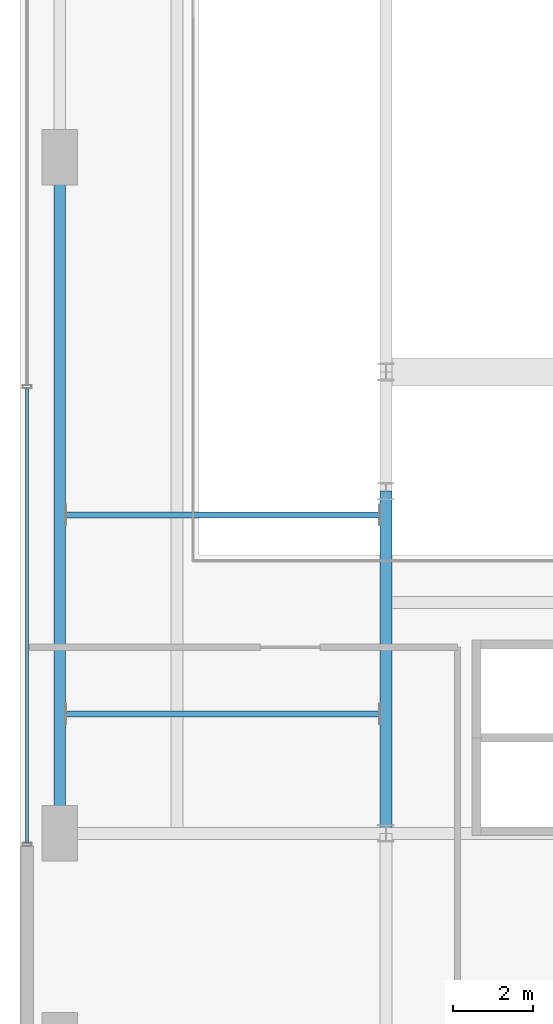
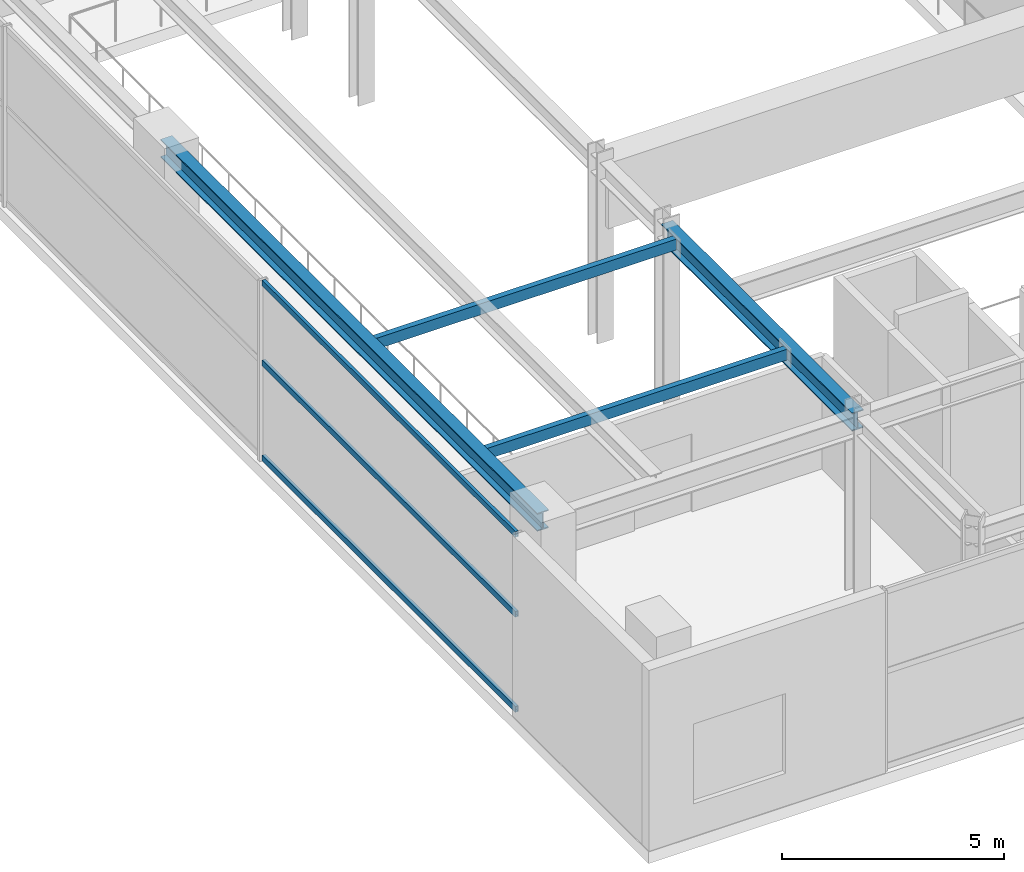
# One storey, part 5 of 35: 5 members, 2 beams, 1 element without a shape of its own.
"""IFC4 building model written with IfcOpenShell, lengths in metres."""

from ifc_helpers import new_model, si_unit, direction, frame, origin, origin_2d, place, context, subcontext, project, spatial, hollow_rectangle, i_section, extrude, source, transform, mapped, material, material_profile, profile_set, type_object, element, aggregate, save


model = new_model("IFC4")

# Units and contexts
model_context = context("Model", 3, precision=1e-05, world=origin(), true_north=direction((0.0, 1.0)))
body_context = subcontext(model_context, "Body", "Model", "MODEL_VIEW")
ifc_project = project(units=[si_unit("LENGTHUNIT", "METRE"), si_unit("AREAUNIT", "SQUARE_METRE"), si_unit("VOLUMEUNIT", "CUBIC_METRE"), si_unit("PLANEANGLEUNIT", "RADIAN"), si_unit("MASSUNIT", "GRAM", prefix="KILO")], contexts=[model_context])

# Site, building, storey
site_placement = place(None, origin())
site = spatial("IfcSite", under=ifc_project, at=site_placement, CompositionType="ELEMENT")
building_placement = place(site_placement, origin())
building = spatial("IfcBuilding", under=site, at=building_placement, Name="Nahalor Promenade Grand Hotel", CompositionType="ELEMENT")
storey_placement = place(building_placement, frame((0.0, 0.0, 21.60009765625)))
storey = spatial("IfcBuildingStorey", under=building, at=storey_placement, Name="L04", CompositionType="ELEMENT", Elevation=21.60009765625)

# Beams
ifc_material_1 = material(Name="Steel S355JR", Category="steel")
ifc_material_profile_1 = material_profile(ifc_material_1, i_section(OverallWidth=0.3, OverallDepth=0.5, WebThickness=0.0145, FlangeThickness=0.028, at=origin_2d()), Name="HEB 500")
ifc_profile_set_1 = profile_set([ifc_material_profile_1], Name="Steel S355JR")
beam_type = type_object("IfcBeamType", Name="Beam-Spandrel-HEB500", PredefinedType="SPANDREL", material=ifc_profile_set_1)
shared_shape_1 = source(origin(), body_context, "Body", "SweptSolid", [
    extrude(i_section(OverallWidth=0.3, OverallDepth=0.5, WebThickness=0.0145, FlangeThickness=0.028, at=origin_2d()), origin(), (0.0, 0.0, 1.0), 8.60009765625),
])
beam_1_placement = place(storey_placement, frame((-24.800048828125, -17.0, 4.72998046875), z_axis=(0.0, 1.0, 0.0), x_axis=(-1.0, 0.0, 0.0)))
element("IfcBeam", 1, at=beam_1_placement, inside=storey, type_object=beam_type, Name="BM-L04-SP-W-0", PredefinedType="SPANDREL", context=body_context, shape_type="MappedRepresentation", body=[
    mapped(shared_shape_1, transform((0.0, 0.0, 0.0), scale=1.0)),
])
shared_shape_2 = source(origin(), body_context, "Body", "SweptSolid", [
    extrude(i_section(OverallWidth=0.3, OverallDepth=0.5, WebThickness=0.0145, FlangeThickness=0.028, at=origin_2d()), origin(), (0.0, 0.0, 1.0), 17.0),
])
beam_2_placement = place(storey_placement, frame((-33.0, -17.0, 4.83984375), z_axis=(0.0, 1.0, 0.0), x_axis=(-1.0, 0.0, 0.0)))
element("IfcBeam", 2, at=beam_2_placement, inside=storey, type_object=beam_type, Name="BM-L04-PW-1", PredefinedType="SPANDREL", context=body_context, shape_type="MappedRepresentation", body=[
    mapped(shared_shape_2, transform((0.0, 0.0, 0.0), scale=1.0)),
])

# Members
ifc_material_profile_2 = material_profile(ifc_material_1, hollow_rectangle(XDim=0.15, YDim=0.3, WallThickness=0.012, at=origin_2d()), Name="RHS 300x150x12")
ifc_profile_set_2 = profile_set([ifc_material_profile_2], Name="Steel S355JR")
member_type_1 = type_object("IfcMemberType", Name="Mem-CanopyPurlin-RHS300", PredefinedType="PURLIN", material=ifc_profile_set_2)
shared_shape_3 = source(origin(), body_context, "Body", "SweptSolid", [
    extrude(hollow_rectangle(XDim=0.15, YDim=0.3, WallThickness=0.012, at=origin_2d()), origin(), (0.0, 0.0, 1.0), 7.900146484375),
])
for number, where, z_axis, x_axis, name in (
    (3, (-32.85009765625, -14.0, 4.81982421875), (1.0, 0.0, 0.0), (0.0, 1.0, 0.0), "L04-PURL-B0"),
    (4, (-32.85009765625, -9.0, 4.81982421875), (1.0, 0.0, 0.0), (0.0, 1.0, 0.0), "L04-PURL-B1"),
):
    element("IfcMember", number, at=place(storey_placement, frame(where, z_axis=z_axis, x_axis=x_axis)), inside=storey, type_object=member_type_1, Name=name, PredefinedType="PURLIN", context=body_context, shape_type="MappedRepresentation", body=[
        mapped(shared_shape_3, transform((0.0, 0.0, 0.0), scale=1.0)),
    ])

# Curtain wall, members
ifc_material_2 = material(Name="Anodised Bronze Aluminium EN AW-6063 T6", Category="aluminium")
curtain_wall_type = type_object("IfcCurtainWallType", Name="CW1 Waterfront Podium Bronze Arcade Curtain Wall", PredefinedType="USERDEFINED", material=ifc_material_2)
curtain_wall_placement = place(storey_placement, origin())
curtain_wall = element("IfcCurtainWall", 5, at=curtain_wall_placement, inside=storey, type_object=curtain_wall_type, Name="L04 Curtain Wall CW-L04-W", ObjectType="UNITISED_CURTAIN_WALL", PredefinedType="USERDEFINED")
ifc_material_profile_3 = material_profile(ifc_material_2, hollow_rectangle(XDim=0.08, YDim=0.16, WallThickness=0.004, at=origin_2d()), Name="CWT 80x160x4")
ifc_profile_set_3 = profile_set([ifc_material_profile_3], Name="Anodised Bronze Aluminium EN AW-6063 T6")
member_type_2 = type_object("IfcMemberType", Name="CWT1 Podium Bronze Transom 80x160", PredefinedType="USERDEFINED", material=ifc_profile_set_3)
shared_shape_4 = source(origin(), body_context, "Body", "SweptSolid", [
    extrude(hollow_rectangle(XDim=0.08, YDim=0.16, WallThickness=0.004, at=origin_2d()), origin(), (0.0, 0.0, 1.0), 11.4267578125),
])
member_1_placement = place(storey_placement, frame((-33.820068359375, -17.239990234375, 0.079833984375), z_axis=(0.0, 1.0, 0.0), x_axis=(-1.0, 0.0, 0.0)))
member_1 = element("IfcMember", 6, at=member_1_placement, type_object=member_type_2, Name="CW-L04-W Transom 0-0", ObjectType="TRANSOM", PredefinedType="USERDEFINED", context=body_context, shape_type="MappedRepresentation", body=[
    mapped(shared_shape_4, transform((0.0, 0.0, 0.0), scale=1.0)),
])
member_2_placement = place(storey_placement, frame((-33.820068359375, -17.239990234375, 2.699951171875), z_axis=(0.0, 1.0, 0.0), x_axis=(-1.0, 0.0, 0.0)))
member_2 = element("IfcMember", 7, at=member_2_placement, type_object=member_type_2, Name="CW-L04-W Transom 0-1", ObjectType="TRANSOM", PredefinedType="USERDEFINED", context=body_context, shape_type="MappedRepresentation", body=[
    mapped(shared_shape_4, transform((0.0, 0.0, 0.0), scale=1.0)),
])
member_3_placement = place(storey_placement, frame((-33.820068359375, -17.239990234375, 4.89990234375), z_axis=(0.0, 1.0, 0.0), x_axis=(-1.0, 0.0, 0.0)))
member_3 = element("IfcMember", 8, at=member_3_placement, type_object=member_type_2, Name="CW-L04-W Transom 0-2", ObjectType="TRANSOM", PredefinedType="USERDEFINED", context=body_context, shape_type="MappedRepresentation", body=[
    mapped(shared_shape_4, transform((0.0, 0.0, 0.0), scale=1.0)),
])
aggregate(curtain_wall, [member_1, member_2, member_3])

save(model, "model.ifc")
